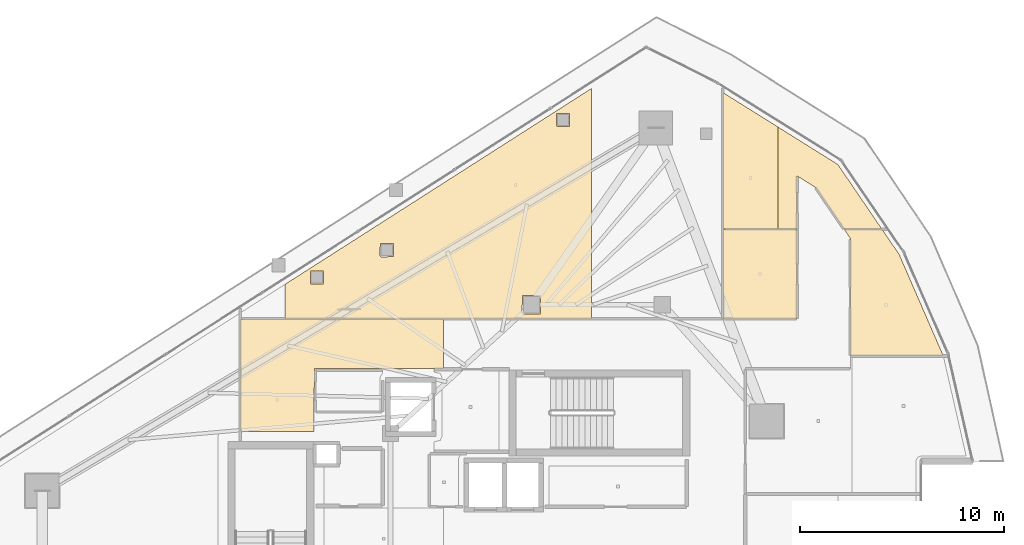
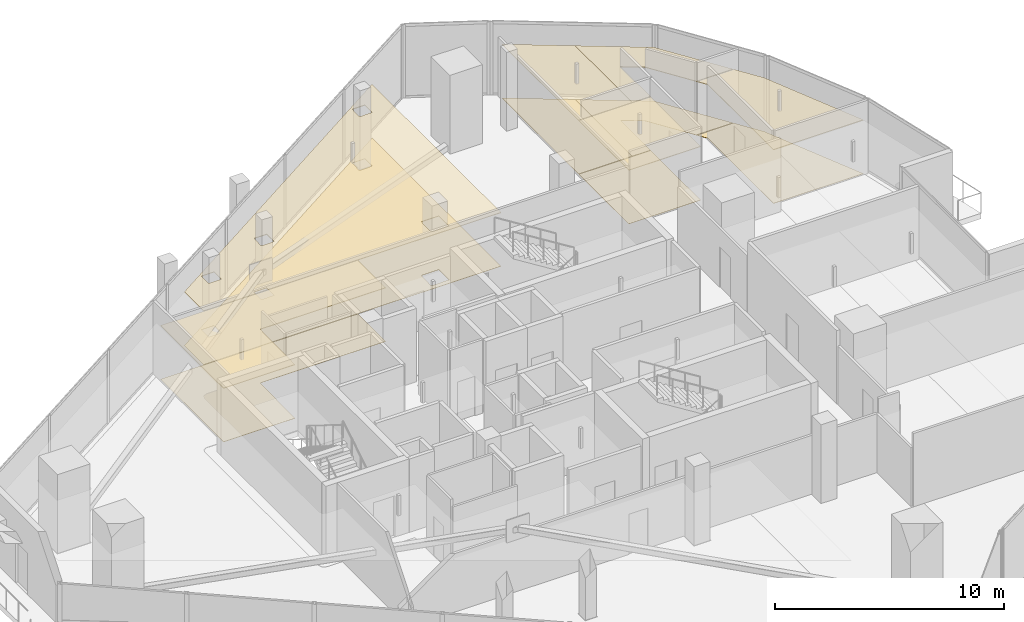
# One storey, part 34 of 34: 12 coverings.
"""IFC4 building model written with IfcOpenShell, lengths in metres."""

from ifc_helpers import new_model, si_unit, direction, frame, origin, place, context, subcontext, project, spatial, polyline, outline, extrude, material, layer, layer_set, type_object, element, save


model = new_model("IFC4")

# Units and contexts
model_context = context("Model", 3, precision=1e-05, world=origin(), true_north=direction((0.0, 1.0)))
body_context = subcontext(model_context, "Body", "Model", "MODEL_VIEW")
ifc_project = project(units=[si_unit("LENGTHUNIT", "METRE"), si_unit("AREAUNIT", "SQUARE_METRE"), si_unit("VOLUMEUNIT", "CUBIC_METRE"), si_unit("PLANEANGLEUNIT", "RADIAN"), si_unit("MASSUNIT", "GRAM", prefix="KILO")], contexts=[model_context])

# Site, building, storey
site_placement = place(None, origin())
site = spatial("IfcSite", under=ifc_project, at=site_placement, CompositionType="ELEMENT")
building_placement = place(site_placement, origin())
building = spatial("IfcBuilding", under=site, at=building_placement, Name="Qorvath Tower", CompositionType="ELEMENT")
storey_placement = place(building_placement, frame((0.0, 0.0, 276.60009765625)))
storey = spatial("IfcBuildingStorey", under=building, at=storey_placement, Name="L64", CompositionType="ELEMENT", Elevation=276.60009765625)

# Coverings
ifc_material_1 = material(Name="Acoustic mineral fibre ceiling tile", Category="gypsum")
ifc_layer_1 = layer(ifc_material_1, 0.030029296875)
ifc_layer_set_1 = layer_set([ifc_layer_1], Name="COV-CEIL")
covering_type_1 = type_object("IfcCoveringType", Name="COV-CEIL", PredefinedType="CEILING", material=ifc_layer_set_1)
covering_1_placement = place(storey_placement, frame((0.0, 0.0, 2.849853515625)))
element("IfcCovering", 1, at=covering_1_placement, inside=storey, type_object=covering_type_1, Name="L64 Suspended Acoustic Ceiling 012", PredefinedType="CEILING", context=body_context, shape_type="SweptSolid", body=[
    extrude(outline(polyline([(-27.8984375, 8.324951171875), (-27.8984375, 10.7451171875), (-37.844970703125, 10.7451171875), (-37.844970703125, 5.239990234375), (-34.2509765625, 5.239990234375), (-34.219970703125, 8.324951171875), (-27.8984375, 8.324951171875)])), origin(), (0.0, 0.0, 1.0), 0.030029296875),
])
covering_2_placement = place(storey_placement, frame((0.0, 0.0, 2.849853515625)))
element("IfcCovering", 2, at=covering_2_placement, inside=storey, type_object=covering_type_1, Name="L64 Suspended Acoustic Ceiling 015", PredefinedType="CEILING", context=body_context, shape_type="SweptSolid", body=[
    extrude(outline(polyline([(-35.662841796875, 12.44580078125), (-35.662841796875, 10.76171875), (-20.67431640625, 10.7626953125), (-20.67431640625, 22.025390625), (-35.662841796875, 12.44580078125)]), holes=[polyline([(-22.38818359375, 20.219970703125), (-22.37060546875, 20.812255859375), (-21.73583984375, 20.812255859375), (-21.73583984375, 20.177490234375), (-22.328125, 20.159912109375), (-22.38818359375, 20.219970703125)]), polyline([(-24.06005859375, 11.050048828125), (-24.04248046875, 11.892333984375), (-23.157470703125, 11.892333984375), (-23.157470703125, 11.007568359375), (-24.0, 10.989990234375), (-24.06005859375, 11.050048828125)]), polyline([(-31.01220703125, 13.849365234375), (-30.99462890625, 14.441650390625), (-30.35986328125, 14.441650390625), (-30.35986328125, 13.806884765625), (-30.9521484375, 13.789306640625), (-31.01220703125, 13.849365234375)]), polyline([(-34.421630859375, 12.47509765625), (-34.421630859375, 13.10986328125), (-33.786865234375, 13.10986328125), (-33.786865234375, 12.47509765625), (-34.421630859375, 12.47509765625)])]), origin(), (0.0, 0.0, 1.0), 0.030029296875),
])
covering_3_placement = place(storey_placement, frame((0.0, 0.0, 2.849853515625)))
element("IfcCovering", 3, at=covering_3_placement, inside=storey, type_object=covering_type_1, Name="L64 Suspended Acoustic Ceiling 023", PredefinedType="CEILING", context=body_context, shape_type="SweptSolid", body=[
    extrude(outline(polyline([(-3.453857421875, 8.9560546875), (-5.60498046875, 13.90478515625), (-6.43896484375, 15.128662109375), (-8.29296875, 15.128662109375), (-7.987060546875, 14.677978515625), (-7.987060546875, 8.9560546875), (-3.453857421875, 8.9560546875)])), origin(), (0.0, 0.0, 1.0), 0.030029296875),
])
covering_4_placement = place(storey_placement, frame((0.0, 0.0, 2.849853515625)))
element("IfcCovering", 4, at=covering_4_placement, inside=storey, type_object=covering_type_1, Name="L64 Suspended Acoustic Ceiling 024", PredefinedType="CEILING", context=body_context, shape_type="SweptSolid", body=[
    extrude(outline(polyline([(-10.613037109375, 10.762939453125), (-10.613037109375, 15.128662109375), (-14.237060546875, 15.128662109375), (-14.237060546875, 10.762939453125), (-10.613037109375, 10.762939453125)])), origin(), (0.0, 0.0, 1.0), 0.030029296875),
])
covering_5_placement = place(storey_placement, frame((0.0, 0.0, 2.849853515625)))
element("IfcCovering", 5, at=covering_5_placement, inside=storey, type_object=covering_type_1, Name="L64 Suspended Acoustic Ceiling 025", PredefinedType="CEILING", context=body_context, shape_type="SweptSolid", body=[
    extrude(outline(polyline([(-11.531494140625, 15.146484375), (-11.531494140625, 20.141357421875), (-14.237060546875, 21.833740234375), (-14.237060546875, 15.146484375), (-11.531494140625, 15.146484375)])), origin(), (0.0, 0.0, 1.0), 0.030029296875),
])
covering_6_placement = place(storey_placement, frame((0.0, 0.0, 2.849853515625)))
element("IfcCovering", 6, at=covering_6_placement, inside=storey, type_object=covering_type_1, Name="L64 Suspended Acoustic Ceiling 026", PredefinedType="CEILING", context=body_context, shape_type="SweptSolid", body=[
    extrude(outline(polyline([(-8.305419921875, 15.146484375), (-6.451416015625, 15.146484375), (-8.60986328125, 18.3134765625), (-11.531494140625, 20.141357421875), (-11.531494140625, 15.146484375), (-10.613037109375, 15.146484375), (-10.608642578125, 17.755615234375), (-9.694091796875, 17.184326171875), (-8.305419921875, 15.146484375)])), origin(), (0.0, 0.0, 1.0), 0.030029296875),
])
ifc_material_2 = material(Name="Low-VOC modular carpet tile", Category="textile")
ifc_layer_2 = layer(ifc_material_2, 0.014892578125)
ifc_layer_set_2 = layer_set([ifc_layer_2], Name="COV-FLOOR-CPT")
covering_type_2 = type_object("IfcCoveringType", Name="COV-FLOOR-CPT", PredefinedType="FLOORING", material=ifc_layer_set_2)
covering_7_placement = place(storey_placement, origin())
element("IfcCovering", 7, at=covering_7_placement, inside=storey, type_object=covering_type_2, Name="L64 Floor Finish 015", PredefinedType="FLOORING", context=body_context, shape_type="SweptSolid", body=[
    extrude(outline(polyline([(-35.662841796875, 12.44580078125), (-35.662841796875, 10.76171875), (-20.67431640625, 10.7626953125), (-20.67431640625, 22.025390625), (-35.662841796875, 12.44580078125)]), holes=[polyline([(-22.38818359375, 20.219970703125), (-22.37060546875, 20.812255859375), (-21.73583984375, 20.812255859375), (-21.73583984375, 20.177490234375), (-22.328125, 20.159912109375), (-22.38818359375, 20.219970703125)]), polyline([(-24.06005859375, 11.050048828125), (-24.04248046875, 11.892333984375), (-23.157470703125, 11.892333984375), (-23.157470703125, 11.007568359375), (-24.0, 10.989990234375), (-24.06005859375, 11.050048828125)]), polyline([(-31.01220703125, 13.849365234375), (-30.99462890625, 14.441650390625), (-30.35986328125, 14.441650390625), (-30.35986328125, 13.806884765625), (-30.9521484375, 13.789306640625), (-31.01220703125, 13.849365234375)]), polyline([(-34.421630859375, 12.47509765625), (-34.421630859375, 13.10986328125), (-33.786865234375, 13.10986328125), (-33.786865234375, 12.47509765625), (-34.421630859375, 12.47509765625)])]), origin(), (0.0, 0.0, 1.0), 0.014892578125),
])
covering_8_placement = place(storey_placement, origin())
element("IfcCovering", 8, at=covering_8_placement, inside=storey, type_object=covering_type_2, Name="L64 Floor Finish 023", PredefinedType="FLOORING", context=body_context, shape_type="SweptSolid", body=[
    extrude(outline(polyline([(-3.453857421875, 8.9560546875), (-5.60498046875, 13.90478515625), (-6.43896484375, 15.128662109375), (-8.29296875, 15.128662109375), (-7.987060546875, 14.677978515625), (-7.987060546875, 8.9560546875), (-3.453857421875, 8.9560546875)])), origin(), (0.0, 0.0, 1.0), 0.014892578125),
])
covering_9_placement = place(storey_placement, origin())
element("IfcCovering", 9, at=covering_9_placement, inside=storey, type_object=covering_type_2, Name="L64 Floor Finish 024", PredefinedType="FLOORING", context=body_context, shape_type="SweptSolid", body=[
    extrude(outline(polyline([(-10.613037109375, 10.762939453125), (-10.613037109375, 15.128662109375), (-14.237060546875, 15.128662109375), (-14.237060546875, 10.762939453125), (-10.613037109375, 10.762939453125)])), origin(), (0.0, 0.0, 1.0), 0.014892578125),
])
covering_10_placement = place(storey_placement, origin())
element("IfcCovering", 10, at=covering_10_placement, inside=storey, type_object=covering_type_2, Name="L64 Floor Finish 025", PredefinedType="FLOORING", context=body_context, shape_type="SweptSolid", body=[
    extrude(outline(polyline([(-11.531494140625, 15.146484375), (-11.531494140625, 20.141357421875), (-14.237060546875, 21.833740234375), (-14.237060546875, 15.146484375), (-11.531494140625, 15.146484375)])), origin(), (0.0, 0.0, 1.0), 0.014892578125),
])
covering_11_placement = place(storey_placement, origin())
element("IfcCovering", 11, at=covering_11_placement, inside=storey, type_object=covering_type_2, Name="L64 Floor Finish 026", PredefinedType="FLOORING", context=body_context, shape_type="SweptSolid", body=[
    extrude(outline(polyline([(-8.305419921875, 15.146484375), (-6.451416015625, 15.146484375), (-8.60986328125, 18.3134765625), (-11.531494140625, 20.141357421875), (-11.531494140625, 15.146484375), (-10.613037109375, 15.146484375), (-10.608642578125, 17.755615234375), (-9.694091796875, 17.184326171875), (-8.305419921875, 15.146484375)])), origin(), (0.0, 0.0, 1.0), 0.014892578125),
])
ifc_material_3 = material(Name="Polished epoxy terrazzo flooring", Category="concrete")
ifc_layer_3 = layer(ifc_material_3, 0.02001953125)
ifc_layer_set_3 = layer_set([ifc_layer_3], Name="COV-FLOOR-TRZ")
covering_type_3 = type_object("IfcCoveringType", Name="COV-FLOOR-TRZ", PredefinedType="FLOORING", material=ifc_layer_set_3)
covering_12_placement = place(storey_placement, origin())
element("IfcCovering", 12, at=covering_12_placement, inside=storey, type_object=covering_type_3, Name="L64 Floor Finish 012", PredefinedType="FLOORING", context=body_context, shape_type="SweptSolid", body=[
    extrude(outline(polyline([(-27.8984375, 8.324951171875), (-27.8984375, 10.7451171875), (-37.844970703125, 10.7451171875), (-37.844970703125, 5.239990234375), (-34.2509765625, 5.239990234375), (-34.219970703125, 8.324951171875), (-27.8984375, 8.324951171875)])), origin(), (0.0, 0.0, 1.0), 0.014892578125),
])

save(model, "model.ifc")
